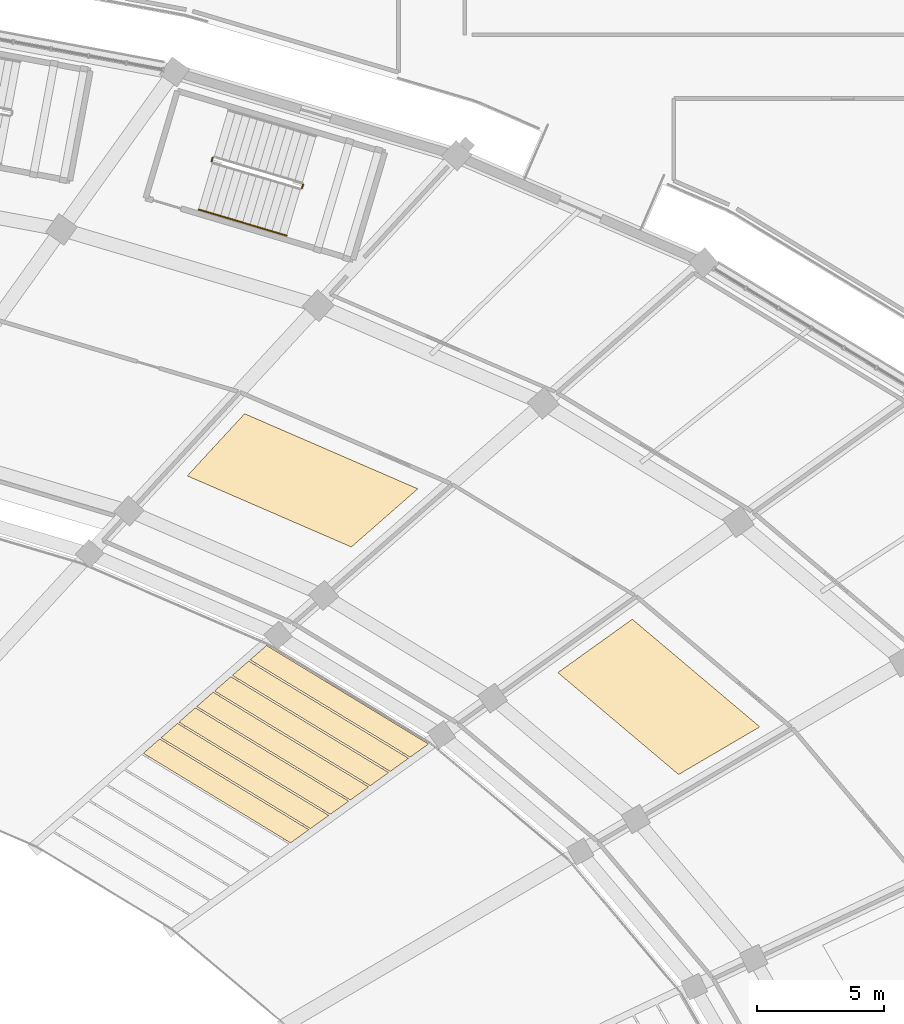
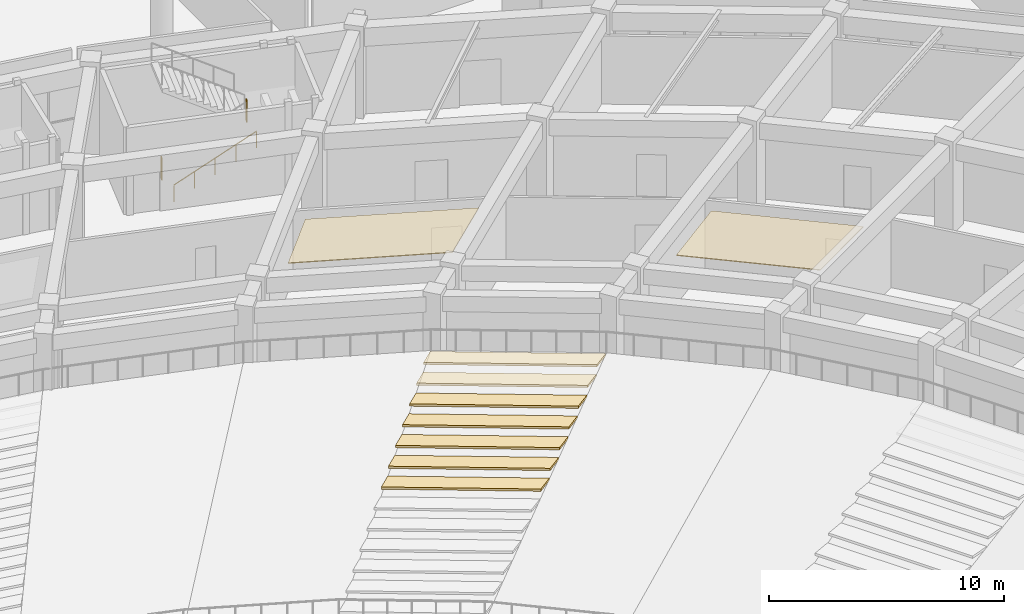
# One storey, part 151 of 152: 9 coverings, 3 railings.
"""IFC4 building model written with IfcOpenShell, lengths in metres."""

import ifcopenshell
import ifcopenshell.guid

model = None  # the IFC model being written
_history = None  # IfcOwnerHistory: only IFC2X3 demands one
_inside = {}  # id of a spatial element -> (the spatial element, [elements in it])
_under = {}  # id of a project, library or spatial element -> (it, [spatial elements below it])
_declared = {}  # id of a project -> (the project, [libraries it declares])
_typed = {}  # id of a type object -> (the type object, [elements of that type])
_made_of = {}  # id of a material, layer set ... -> (it, [elements and type objects made of it])


def new_model(schema):
    """Start an empty IFC model of exactly this schema.

    Asked for "IFC4X3", IfcOpenShell would pick the latest addendum, in which some entities
    have other attributes; the version numbers below select the first issue.
    IFC2X3 requires an IfcOwnerHistory on every rooted entity: one is made here for all.
    """
    global model, _history
    if schema == "IFC4X3":
        model = ifcopenshell.file(schema_version=(4, 3, 0, 0))
    else:
        model = ifcopenshell.file(schema=schema)
    _inside.clear()
    _under.clear()
    _declared.clear()
    _typed.clear()
    _made_of.clear()
    _history = None
    if model.schema == "IFC2X3":
        org = make("IfcOrganization", Name="unknown")
        user = make(
            "IfcPersonAndOrganization",
            ThePerson=make("IfcPerson", FamilyName="unknown"),
            TheOrganization=org,
        )
        app = make(
            "IfcApplication",
            ApplicationDeveloper=org,
            Version="unknown",
            ApplicationFullName="unknown",
            ApplicationIdentifier="unknown",
        )
        _history = make(
            "IfcOwnerHistory",
            OwningUser=user,
            OwningApplication=app,
            ChangeAction="ADDED",
            CreationDate=0,
        )
    return model


def make(cls, **values):
    """One entity of the class cls with the attributes given. An attribute that is None is left unset."""
    return model.create_entity(
        cls, **{name: value for name, value in values.items() if value is not None}
    )


def rooted(cls, **values):
    """An entity with a GlobalId (a new one), such as an element, a storey or a relation."""
    return make(cls, GlobalId=ifcopenshell.guid.new(), OwnerHistory=_history, **values)


def si_unit(unit_type, name, prefix=None):
    """IfcSIUnit, for example si_unit("LENGTHUNIT", "METRE", prefix="MILLI")."""
    return make("IfcSIUnit", UnitType=unit_type, Prefix=prefix, Name=name)


def assignment(units):
    """IfcUnitAssignment: the units of a project."""
    return None if units is None else make("IfcUnitAssignment", Units=units)


def point(xyz):
    """IfcCartesianPoint."""
    return None if xyz is None else make("IfcCartesianPoint", Coordinates=xyz)


def direction(xyz):
    """IfcDirection."""
    return None if xyz is None else make("IfcDirection", DirectionRatios=xyz)


def frame(location, z_axis=None, x_axis=None):
    """IfcAxis2Placement3D, a coordinate frame: its origin and axes. An axis left out is left unset."""
    return make(
        "IfcAxis2Placement3D",
        Location=point(location),
        Axis=direction(z_axis),
        RefDirection=direction(x_axis),
    )


def frame_2d(location, x_axis=None):
    """IfcAxis2Placement2D, a coordinate frame in the plane: its origin and x axis."""
    return make(
        "IfcAxis2Placement2D", Location=point(location), RefDirection=direction(x_axis)
    )


def origin():
    """The frame at (0, 0, 0) with its axes left unset."""
    return frame((0.0, 0.0, 0.0))


def origin_2d():
    """The frame at (0, 0) in the plane with its x axis left unset."""
    return frame_2d((0.0, 0.0))


def place(relative_to, where):
    """IfcLocalPlacement: puts the frame where relative to a parent placement (None: the world)."""
    return make(
        "IfcLocalPlacement", PlacementRelTo=relative_to, RelativePlacement=where
    )


def context(
    kind, dimensions, precision=None, world=None, true_north=None, identifier=None
):
    """IfcGeometricRepresentationContext, for example the 3D "Model" context."""
    return make(
        "IfcGeometricRepresentationContext",
        ContextIdentifier=identifier,
        ContextType=kind,
        CoordinateSpaceDimension=dimensions,
        Precision=precision,
        WorldCoordinateSystem=world,
        TrueNorth=true_north,
    )


def subcontext(parent, identifier, kind, view, scale=None):
    """IfcGeometricRepresentationSubContext, for example "Body" below "Model"."""
    return make(
        "IfcGeometricRepresentationSubContext",
        ContextIdentifier=identifier,
        ContextType=kind,
        ParentContext=parent,
        TargetScale=scale,
        TargetView=view,
    )


def project(units=None, contexts=None):
    """IfcProject with its units and contexts."""
    return rooted(
        "IfcProject",
        Name="project",
        RepresentationContexts=contexts,
        UnitsInContext=assignment(units),
    )


def spatial(cls, under=None, at=None, **own):
    """A site, building, storey or space (cls), placed at a placement, below another one or the project."""
    s = rooted(cls, ObjectPlacement=at, **own)
    if under is not None:
        _under.setdefault(under.id(), (under, []))[1].append(s)
    return s


def polyline(points):
    """IfcPolyline through the points."""
    return make("IfcPolyline", Points=[point(p) for p in points])


def profile(cls, at=None, kind="AREA", **sizes):
    """A parametric profile (cls). Its sizes go by their IFC names, for example OverallWidth=200.0."""
    return make(cls, ProfileType=kind, Position=at, **sizes)


def circle(**sizes):
    """IfcCircleProfileDef."""
    return profile("IfcCircleProfileDef", **sizes)


def outline(outer, holes=None, kind="AREA"):
    """IfcArbitraryClosedProfileDef: a profile drawn as a closed curve; with holes, ...WithVoids."""
    if holes is None:
        return make("IfcArbitraryClosedProfileDef", ProfileType=kind, OuterCurve=outer)
    return make(
        "IfcArbitraryProfileDefWithVoids",
        ProfileType=kind,
        OuterCurve=outer,
        InnerCurves=holes,
    )


def extrude(swept, where, along, depth):
    """IfcExtrudedAreaSolid: the profile swept, set in the frame where, extruded along a direction by depth."""
    return make(
        "IfcExtrudedAreaSolid",
        SweptArea=swept,
        Position=where,
        ExtrudedDirection=direction(along),
        Depth=depth,
    )


def shape(context_of_items, identifier, shape_type, items):
    """IfcShapeRepresentation: the items that make up one representation, for example the "Body"."""
    return make(
        "IfcShapeRepresentation",
        ContextOfItems=context_of_items,
        RepresentationIdentifier=identifier,
        RepresentationType=shape_type,
        Items=items,
    )


def material(Name=None, Category=None):
    """IfcMaterial."""
    return make("IfcMaterial", Name=Name, Category=Category)


def layer(
    of_material, thickness, ventilated=None, Name=None, Category=None, Priority=None
):
    """IfcMaterialLayer: one layer of a wall or slab, of a material (None: an air gap)."""
    return make(
        "IfcMaterialLayer",
        Material=of_material,
        LayerThickness=thickness,
        IsVentilated=ventilated,
        Name=Name,
        Category=Category,
        Priority=Priority,
    )


def layer_set(layers, Name=None):
    """IfcMaterialLayerSet."""
    return make("IfcMaterialLayerSet", MaterialLayers=layers, LayerSetName=Name)


def made_of(thing, what):
    """Note that an element or type object is made of a material, layer set ...; save() writes the relation."""
    if what is not None:
        _made_of.setdefault(what.id(), (what, []))[1].append(thing)
    return thing


def type_object(cls, material=None, **own):
    """A type object (cls), such as IfcWallType, which elements share."""
    return made_of(rooted(cls, **own), material)


def element(
    cls,
    number,
    at=None,
    inside=None,
    cuts=None,
    type_object=None,
    material=None,
    context=None,
    identifier="Body",
    shape_type=None,
    held_by="IfcProductDefinitionShape",
    body=None,
    shapes=None,
    **own,
):
    """One element of the class cls, such as IfcWall. Its Tag is "e" and its number.

    at: its placement. inside: the storey or other place that contains it. cuts: it is an
    opening in that element (IfcRelVoidsElement). A single representation is given by context,
    identifier, shape_type and body (its items); several are given by shapes. held_by: the class
    of the entity that holds the representations. save() writes the other relations.
    """
    e = rooted(cls, Tag="e%d" % number, ObjectPlacement=at, **own)
    if body is not None:
        shapes = [shape(context, identifier, shape_type, body)]
    if shapes is not None:
        e.Representation = make(held_by, Representations=shapes)
    if inside is not None:
        _inside.setdefault(inside.id(), (inside, []))[1].append(e)
    if cuts is not None:
        rooted(
            "IfcRelVoidsElement", RelatingBuildingElement=cuts, RelatedOpeningElement=e
        )
    if type_object is not None:
        _typed.setdefault(type_object.id(), (type_object, []))[1].append(e)
    return made_of(e, material)


def aggregate(whole, parts):
    """IfcRelAggregates: a whole, such as a stair, and the parts it consists of."""
    return rooted("IfcRelAggregates", RelatingObject=whole, RelatedObjects=parts)


def save(model, path):
    """Write the relations noted so far, then the file.

    IfcRelAggregates (storeys below a building ...), IfcRelContainedInSpatialStructure (elements
    in a storey), IfcRelDefinesByType, IfcRelAssociatesMaterial and IfcRelDeclares: one each for
    every whole, place, type object, material and project.
    """
    for whole, parts in _under.values():
        aggregate(whole, parts)
    for where, things in _inside.values():
        rooted(
            "IfcRelContainedInSpatialStructure",
            RelatedElements=things,
            RelatingStructure=where,
        )
    for kind, things in _typed.values():
        rooted("IfcRelDefinesByType", RelatedObjects=things, RelatingType=kind)
    for what, things in _made_of.values():
        rooted("IfcRelAssociatesMaterial", RelatedObjects=things, RelatingMaterial=what)
    for by, libraries in _declared.values():
        rooted("IfcRelDeclares", RelatingContext=by, RelatedDefinitions=libraries)
    model.write(path)


model = new_model("IFC4")

# Units and contexts
model_context = context("Model", 3, precision=1e-05, world=origin(), true_north=direction((0.0, 1.0)))
body_context = subcontext(model_context, "Body", "Model", "MODEL_VIEW")
ifc_project = project(units=[si_unit("LENGTHUNIT", "METRE"), si_unit("AREAUNIT", "SQUARE_METRE"), si_unit("VOLUMEUNIT", "CUBIC_METRE"), si_unit("PLANEANGLEUNIT", "RADIAN"), si_unit("MASSUNIT", "GRAM", prefix="KILO")], contexts=[model_context])

# Site, building, storey
site_placement = place(None, origin())
site = spatial("IfcSite", under=ifc_project, at=site_placement, CompositionType="ELEMENT")
building_placement = place(site_placement, origin())
building = spatial("IfcBuilding", under=site, at=building_placement, Name="Mphavela Belvedere Stadium", CompositionType="ELEMENT")
storey_placement = place(building_placement, frame((0.0, 0.0, 5.39990234375)))
storey = spatial("IfcBuildingStorey", under=building, at=storey_placement, Name="L01", CompositionType="ELEMENT", Elevation=5.39990234375)

# Coverings
ifc_material_1 = material(Name="Perforated acoustic mineral ceiling tile")
ifc_layer_1 = layer(ifc_material_1, 0.0400390625)
ifc_layer_set_1 = layer_set([ifc_layer_1], Name="Perforated acoustic mineral ceiling tile")
covering_type_1 = type_object("IfcCoveringType", Name="COV-CEILING-ACOUSTIC", PredefinedType="CEILING", material=ifc_layer_set_1)
covering_1_placement = place(storey_placement, frame((0.0, 0.0, 3.5)))
element("IfcCovering", 1, at=covering_1_placement, inside=storey, type_object=covering_type_1, Name="Concourse acoustic ceiling L01-06", PredefinedType="CEILING", context=body_context, shape_type="SweptSolid", body=[
    extrude(outline(polyline([(184.69921875, 128.660888671875), (179.931640625, 132.683837890625), (182.870849609375, 134.789794921875), (187.905029296875, 130.5419921875), (184.69921875, 128.660888671875)])), origin(), (0.0, 0.0, 1.0), 0.0400390625),
])
covering_2_placement = place(storey_placement, frame((0.0, 0.0, 3.5)))
element("IfcCovering", 2, at=covering_2_placement, inside=storey, type_object=covering_type_1, Name="Concourse acoustic ceiling L01-08", PredefinedType="CEILING", context=body_context, shape_type="SweptSolid", body=[
    extrude(outline(polyline([(171.78125, 137.64111328125), (165.30419921875, 140.44921875), (167.56689453125, 142.9033203125), (174.406494140625, 139.938232421875), (171.78125, 137.64111328125)])), origin(), (0.0, 0.0, 1.0), 0.0400390625),
])
ifc_material_2 = material(Name="Precast seating row terrazzo finish", Category="concrete")
ifc_layer_2 = layer(ifc_material_2, 0.1201171875)
ifc_layer_set_2 = layer_set([ifc_layer_2], Name="Precast seating row terrazzo finish")
covering_type_2 = type_object("IfcCoveringType", Name="COV-SEAT-ROW-L", PredefinedType="FLOORING", material=ifc_layer_set_2)
covering_3_placement = place(storey_placement, frame((0.0, 0.0, -0.989013671875)))
element("IfcCovering", 3, at=covering_3_placement, inside=storey, type_object=covering_type_2, Name="Lower stand seating row bench B07-R07", PredefinedType="FLOORING", context=body_context, shape_type="SweptSolid", body=[
    extrude(outline(polyline([(169.380615234375, 125.96337890625), (163.569091796875, 129.4990234375), (164.215576171875, 130.06494140625), (170.104736328125, 126.482177734375), (169.380615234375, 125.96337890625)])), origin(), (0.0, 0.0, 1.0), 0.119873046875),
])
covering_4_placement = place(storey_placement, frame((0.0, 0.0, -0.527587890625)))
element("IfcCovering", 4, at=covering_4_placement, inside=storey, type_object=covering_type_2, Name="Lower stand seating row bench B07-R08", PredefinedType="FLOORING", context=body_context, shape_type="SweptSolid", body=[
    extrude(outline(polyline([(170.16748046875, 126.52734375), (164.27197265625, 130.114013671875), (164.91845703125, 130.679931640625), (170.8916015625, 127.046142578125), (170.16748046875, 126.52734375)])), origin(), (0.0, 0.0, 1.0), 0.119873046875),
])
covering_5_placement = place(storey_placement, frame((0.0, 0.0, -0.066162109375)))
element("IfcCovering", 5, at=covering_5_placement, inside=storey, type_object=covering_type_2, Name="Lower stand seating row bench B07-R09", PredefinedType="FLOORING", context=body_context, shape_type="SweptSolid", body=[
    extrude(outline(polyline([(170.95458984375, 127.09130859375), (164.974609375, 130.72900390625), (165.621337890625, 131.294921875), (171.6787109375, 127.60986328125), (170.95458984375, 127.09130859375)])), origin(), (0.0, 0.0, 1.0), 0.1201171875),
])
covering_6_placement = place(storey_placement, frame((0.0, 0.0, 0.3955078125)))
element("IfcCovering", 6, at=covering_6_placement, inside=storey, type_object=covering_type_2, Name="Lower stand seating row bench B07-R10", PredefinedType="FLOORING", context=body_context, shape_type="SweptSolid", body=[
    extrude(outline(polyline([(171.741455078125, 127.655029296875), (165.677490234375, 131.343994140625), (166.32421875, 131.909912109375), (172.465576171875, 128.173828125), (171.741455078125, 127.655029296875)])), origin(), (0.0, 0.0, 1.0), 0.119873046875),
])
covering_7_placement = place(storey_placement, frame((0.0, 0.0, 0.85693359375)))
element("IfcCovering", 7, at=covering_7_placement, inside=storey, type_object=covering_type_2, Name="Lower stand seating row bench B07-R11", PredefinedType="FLOORING", context=body_context, shape_type="SweptSolid", body=[
    extrude(outline(polyline([(172.528564453125, 128.218994140625), (166.380615234375, 131.959228515625), (167.027099609375, 132.52490234375), (173.25244140625, 128.737548828125), (172.528564453125, 128.218994140625)])), origin(), (0.0, 0.0, 1.0), 0.1201171875),
])
covering_8_placement = place(storey_placement, frame((0.0, 0.0, 1.318603515625)))
element("IfcCovering", 8, at=covering_8_placement, inside=storey, type_object=covering_type_2, Name="Lower stand seating row bench B07-R12", PredefinedType="FLOORING", context=body_context, shape_type="SweptSolid", body=[
    extrude(outline(polyline([(173.3154296875, 128.78271484375), (167.083251953125, 132.57421875), (167.72998046875, 133.139892578125), (174.03955078125, 129.301513671875), (173.3154296875, 128.78271484375)])), origin(), (0.0, 0.0, 1.0), 0.119873046875),
])
covering_9_placement = place(storey_placement, frame((0.0, 0.0, 1.780029296875)))
element("IfcCovering", 9, at=covering_9_placement, inside=storey, type_object=covering_type_2, Name="Lower stand seating row bench B07-R13", PredefinedType="FLOORING", context=body_context, shape_type="SweptSolid", body=[
    extrude(outline(polyline([(174.102294921875, 129.3466796875), (167.7861328125, 133.189208984375), (168.432861328125, 133.7548828125), (174.826416015625, 129.865234375), (174.102294921875, 129.3466796875)])), origin(), (0.0, 0.0, 1.0), 0.1201171875),
])

# Railings
ifc_material_3 = material(Name="Painted galvanised steel stair guardrail", Category="steel")
railing_type_1 = type_object("IfcRailingType", Name="RAL-GUARD-1120", PredefinedType="GUARDRAIL", material=ifc_material_3)
for number, where, name in (
    (10, (169.833251953125, 151.806640625, 2.400146484375), "L01 ST-P01 stair guard 2"),
    (11, (166.26318359375, 152.8662109375, 0.0), "L01 ST-P01 stair guard 4"),
):
    element("IfcRailing", number, at=place(storey_placement, frame(where)), inside=storey, type_object=railing_type_1, Name=name, PredefinedType="GUARDRAIL", context=body_context, shape_type="SweptSolid", body=[
        extrude(circle(Radius=0.02392578125, at=origin_2d()), frame((0.0, 0.0, 1.09619140625), z_axis=(0.284808608521, 0.958584402394, 0.0), x_axis=(-0.958584402394, 0.284808608521, 0.0)), (0.0, 0.0, 1.0), 0.14990234375),
        extrude(circle(Radius=0.02099609375, at=origin_2d()), origin(), (0.0, 0.0, 1.0), 1.072021484375),
        extrude(circle(Radius=0.02099609375, at=origin_2d()), frame((0.042724609375, 0.143798828125, 0.0)), (0.0, 0.0, 1.0), 1.072021484375),
    ])
ifc_material_4 = material(Name="Brushed stainless steel tubular handrail", Category="steel")
railing_type_2 = type_object("IfcRailingType", Name="RAL-HANDRAIL-900", PredefinedType="HANDRAIL", material=ifc_material_4)
railing_placement = place(storey_placement, frame((165.750732421875, 150.96337890625, 0.184814453125)))
element("IfcRailing", 12, at=railing_placement, inside=storey, type_object=railing_type_2, Name="L01 ST-P01 stair handrail 1", PredefinedType="HANDRAIL", context=body_context, shape_type="SweptSolid", body=[
    extrude(circle(Radius=0.02392578125, at=origin_2d()), frame((0.0, 0.0, 0.8759765625), z_axis=(0.817945638639, -0.242739594657, 0.521576860507), x_axis=(0.284503482323, 0.958675006739, 0.0)), (0.0, 0.0, 1.0), 4.247314453125),
    extrude(circle(Radius=0.02099609375, at=origin_2d()), origin(), (0.0, 0.0, 1.0), 0.851806640625),
    extrude(circle(Radius=0.02099609375, at=origin_2d()), frame((0.86865234375, -0.2578125, 0.5537109375)), (0.0, 0.0, 1.0), 0.851806640625),
    extrude(circle(Radius=0.02099609375, at=origin_2d()), frame((1.737060546875, -0.515625, 1.107666015625)), (0.0, 0.0, 1.0), 0.851806640625),
    extrude(circle(Radius=0.02099609375, at=origin_2d()), frame((2.60546875, -0.773193359375, 1.66162109375)), (0.0, 0.0, 1.0), 0.851806640625),
    extrude(circle(Radius=0.02099609375, at=origin_2d()), frame((3.47412109375, -1.031005859375, 2.21533203125)), (0.0, 0.0, 1.0), 0.851806640625),
])

save(model, "model.ifc")
